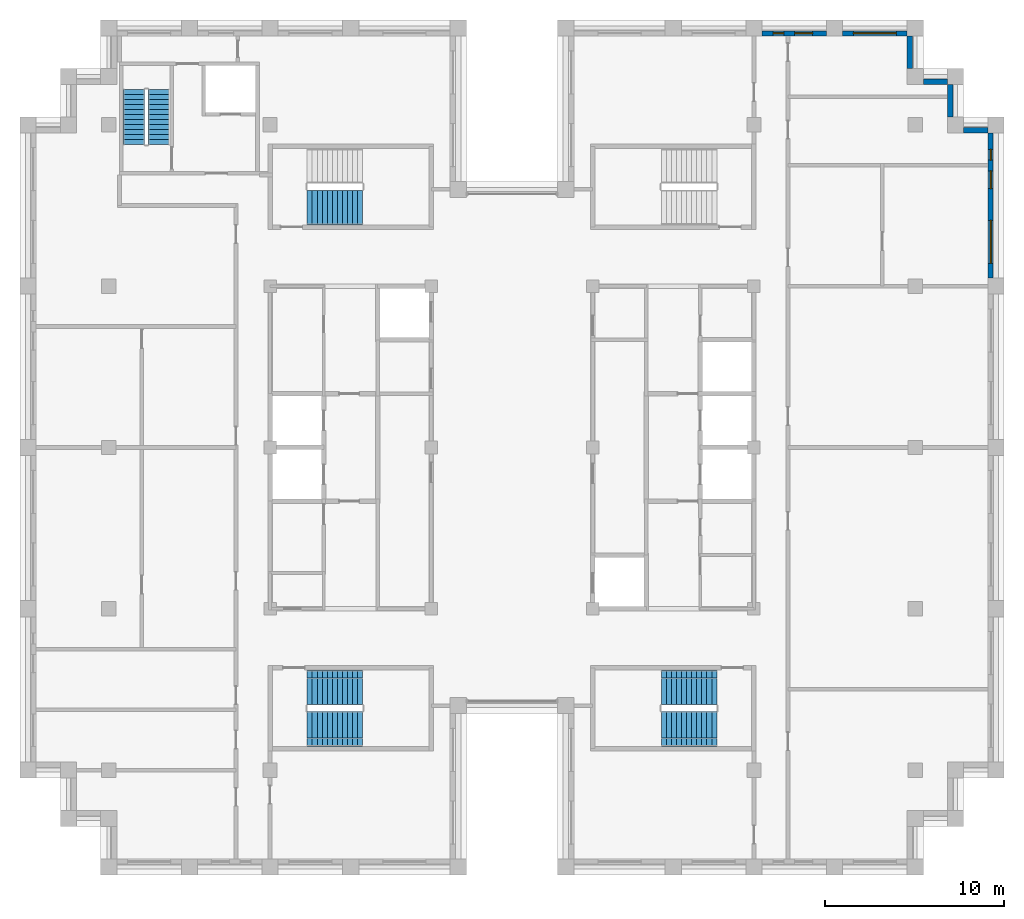
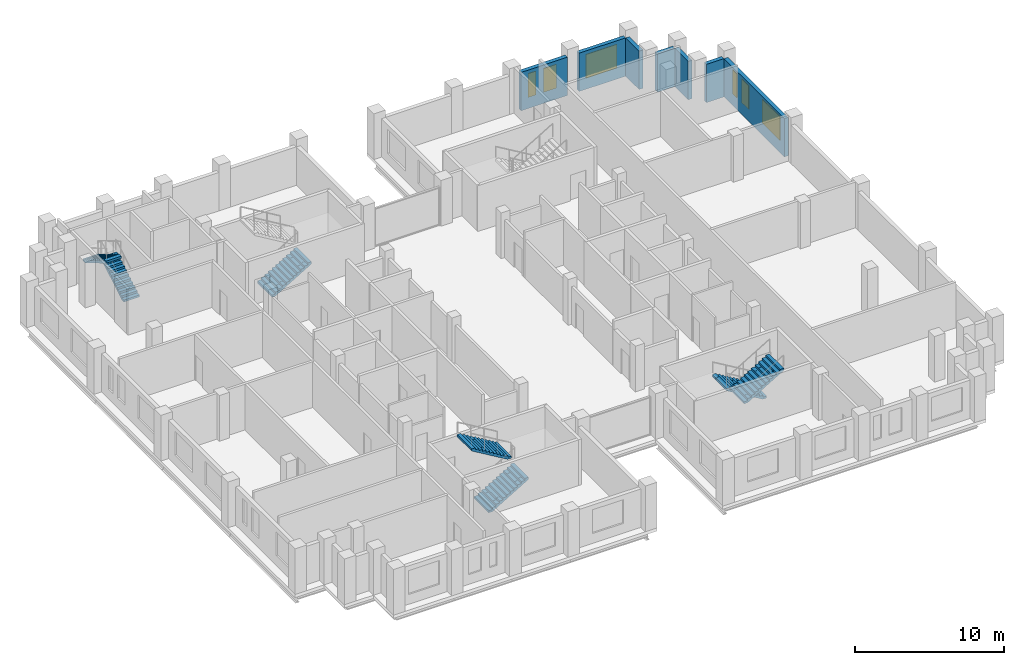
# One storey, part 11 of 13: 7 stair flights, 7 walls, 6 windows, 6 openings, 4 elements without a shape of their own.
"""IFC4 building model written with IfcOpenShell, lengths in metres."""

from ifc_helpers import new_model, si_unit, direction, frame, frame_2d, origin, place, context, subcontext, project, spatial, polyline, rectangle, outline, extrude, material, layer, layer_set, type_object, element, fill, aggregate, save


model = new_model("IFC4")

# Units and contexts
model_context = context("Model", 3, precision=1e-05, world=origin(), true_north=direction((0.0, 1.0)))
body_context = subcontext(model_context, "Body", "Model", "MODEL_VIEW")
ifc_project = project(units=[si_unit("LENGTHUNIT", "METRE"), si_unit("AREAUNIT", "SQUARE_METRE"), si_unit("VOLUMEUNIT", "CUBIC_METRE"), si_unit("PLANEANGLEUNIT", "RADIAN"), si_unit("MASSUNIT", "GRAM", prefix="KILO")], contexts=[model_context])

# Site, building, storey
site_placement = place(None, origin())
site = spatial("IfcSite", under=ifc_project, at=site_placement, CompositionType="ELEMENT")
building_placement = place(site_placement, origin())
building = spatial("IfcBuilding", under=site, at=building_placement, Name="Corbelhall Arena Tower", CompositionType="ELEMENT")
storey_placement = place(building_placement, frame((0.0, 0.0, 304.0)))
storey = spatial("IfcBuildingStorey", under=building, at=storey_placement, Name="L66", CompositionType="ELEMENT", Elevation=304.0)

# Wall, openings, windows
ifc_material_1 = material(Name="Precast concrete C40/50 with granite facing", Category="masonry")
ifc_layer = layer(ifc_material_1, 0.300048828125)
ifc_layer_set = layer_set([ifc_layer], Name="EV-IW1 Infill panel 300")
wall_type = type_object("IfcWallType", Name="EV-IW1 Infill panel 300", PredefinedType="SOLIDWALL", material=ifc_layer_set)
wall_1_placement = place(storey_placement, frame((26.699951171875, 9.449951171875, 0.0), z_axis=(0.0, 0.0, 1.0), x_axis=(0.0, 1.0, 0.0)))
wall_1 = element("IfcWall", 1, at=wall_1_placement, inside=storey, type_object=wall_type, Name="Infill panel IW1", PredefinedType="SOLIDWALL", context=body_context, shape_type="SweptSolid", body=[
    extrude(rectangle(XDim=8.10009765625, YDim=0.300048828125, at=frame_2d((4.050048828125, 0.0))), origin(), (0.0, 0.0, 1.0), 3.139892578125),
])
opening_1_placement = place(wall_1_placement, frame((0.824951171875, 0.0, 0.800048828125)))
opening_1 = element("IfcOpeningElement", 2, at=opening_1_placement, cuts=wall_1, Name="Opening WN1", PredefinedType="OPENING", context=body_context, shape_type="SweptSolid", body=[
    extrude(rectangle(XDim=2.39990234375, YDim=1.949951171875, at=frame_2d((1.199951171875, 0.97509765625))), frame((0.0, 0.14990234375, 0.0), z_axis=(0.0, -1.0, 0.0), x_axis=(1.0, 0.0, 0.0)), (0.0, 0.0, 1.0), 0.300048828125),
])
opening_2_placement = place(wall_1_placement, frame((4.987548828125, 0.0, 0.800048828125)))
opening_2 = element("IfcOpeningElement", 3, at=opening_2_placement, cuts=wall_1, Name="Opening WN6", PredefinedType="OPENING", context=body_context, shape_type="SweptSolid", body=[
    extrude(rectangle(XDim=1.0, YDim=1.949951171875, at=frame_2d((0.5, 0.97509765625))), frame((0.0, 0.14990234375, 0.0), z_axis=(0.0, -1.0, 0.0), x_axis=(1.0, 0.0, 0.0)), (0.0, 0.0, 1.0), 0.300048828125),
])
opening_3_placement = place(wall_1_placement, frame((6.58740234375, 0.0, 0.800048828125)))
opening_3 = element("IfcOpeningElement", 4, at=opening_3_placement, cuts=wall_1, Name="Opening WN5", PredefinedType="OPENING", context=body_context, shape_type="SweptSolid", body=[
    extrude(rectangle(XDim=0.60009765625, YDim=1.949951171875, at=frame_2d((0.300048828125, 0.97509765625))), frame((0.0, 0.14990234375, 0.0), z_axis=(0.0, -1.0, 0.0), x_axis=(1.0, 0.0, 0.0)), (0.0, 0.0, 1.0), 0.300048828125),
])
ifc_material_2 = material(Name="Aluminium black anodised", Category="aluminium")
window_type_1 = type_object("IfcWindowType", Name="EV-WN1 Office window", PartitioningType="SINGLE_PANEL", PredefinedType="WINDOW", material=ifc_material_2)
window_1_placement = place(opening_1_placement, origin())
window_1 = element("IfcWindow", 5, at=window_1_placement, inside=storey, type_object=window_type_1, Name="Window WN1", OverallHeight=1.949951171875, OverallWidth=2.39990234375, PartitioningType="SINGLE_PANEL", PredefinedType="WINDOW", context=body_context, shape_type="SweptSolid", body=[
    extrude(rectangle(XDim=2.39990234375, YDim=1.949951171875, at=frame_2d((1.199951171875, 0.97509765625))), frame((0.0, 0.030029296875, 0.0), z_axis=(0.0, -1.0, 0.0), x_axis=(1.0, 0.0, 0.0)), (0.0, 0.0, 1.0), 0.06005859375),
])
fill(opening_1, window_1)
window_type_2 = type_object("IfcWindowType", Name="EV-WN5 Office window 600", PartitioningType="SINGLE_PANEL", PredefinedType="WINDOW", material=ifc_material_2)
window_2_placement = place(opening_3_placement, origin())
window_2 = element("IfcWindow", 6, at=window_2_placement, inside=storey, type_object=window_type_2, Name="Window WN5", OverallHeight=1.949951171875, OverallWidth=0.60009765625, PartitioningType="SINGLE_PANEL", PredefinedType="WINDOW", context=body_context, shape_type="SweptSolid", body=[
    extrude(rectangle(XDim=0.60009765625, YDim=1.949951171875, at=frame_2d((0.300048828125, 0.97509765625))), frame((0.0, 0.030029296875, 0.0), z_axis=(0.0, -1.0, 0.0), x_axis=(1.0, 0.0, 0.0)), (0.0, 0.0, 1.0), 0.06005859375),
])
fill(opening_3, window_2)
window_type_3 = type_object("IfcWindowType", Name="EV-WN6 Office window 1000", PartitioningType="SINGLE_PANEL", PredefinedType="WINDOW", material=ifc_material_2)
window_3_placement = place(opening_2_placement, origin())
window_3 = element("IfcWindow", 7, at=window_3_placement, inside=storey, type_object=window_type_3, Name="Window WN6", OverallHeight=1.949951171875, OverallWidth=1.0, PartitioningType="SINGLE_PANEL", PredefinedType="WINDOW", context=body_context, shape_type="SweptSolid", body=[
    extrude(rectangle(XDim=1.0, YDim=1.949951171875, at=frame_2d((0.5, 0.97509765625))), frame((0.0, 0.030029296875, 0.0), z_axis=(0.0, -1.0, 0.0), x_axis=(1.0, 0.0, 0.0)), (0.0, 0.0, 1.0), 0.06005859375),
])
fill(opening_2, window_3)

# Walls
wall_2_placement = place(storey_placement, frame((26.550048828125, 17.699951171875, 0.0), z_axis=(0.0, 0.0, 1.0), x_axis=(-1.0, 0.0, 0.0)))
element("IfcWall", 8, at=wall_2_placement, inside=storey, type_object=wall_type, Name="Infill panel IW1", PredefinedType="SOLIDWALL", context=body_context, shape_type="SweptSolid", body=[
    extrude(rectangle(XDim=1.35009765625, YDim=0.300048828125, at=frame_2d((0.675048828125, 0.0))), origin(), (0.0, 0.0, 1.0), 3.139892578125),
])
wall_3_placement = place(storey_placement, frame((24.449951171875, 18.449951171875, 0.0), z_axis=(0.0, 0.0, 1.0), x_axis=(0.0, 1.0, 0.0)))
element("IfcWall", 9, at=wall_3_placement, inside=storey, type_object=wall_type, Name="Infill panel IW1", PredefinedType="SOLIDWALL", context=body_context, shape_type="SweptSolid", body=[
    extrude(rectangle(XDim=1.800048828125, YDim=0.300048828125, at=frame_2d((0.89990234375, 0.0))), origin(), (0.0, 0.0, 1.0), 3.139892578125),
])
wall_4_placement = place(storey_placement, frame((24.300048828125, 20.39990234375, 0.0), z_axis=(0.0, 0.0, 1.0), x_axis=(-1.0, 0.0, 0.0)))
element("IfcWall", 10, at=wall_4_placement, inside=storey, type_object=wall_type, Name="Infill panel IW1", PredefinedType="SOLIDWALL", context=body_context, shape_type="SweptSolid", body=[
    extrude(rectangle(XDim=1.35009765625, YDim=0.300048828125, at=frame_2d((0.675048828125, 0.0))), origin(), (0.0, 0.0, 1.0), 3.139892578125),
])
wall_5_placement = place(storey_placement, frame((22.199951171875, 21.14990234375, 0.0), z_axis=(0.0, 0.0, 1.0), x_axis=(0.0, 1.0, 0.0)))
element("IfcWall", 11, at=wall_5_placement, inside=storey, type_object=wall_type, Name="Infill panel IW1", PredefinedType="SOLIDWALL", context=body_context, shape_type="SweptSolid", body=[
    extrude(rectangle(XDim=1.800048828125, YDim=0.300048828125, at=frame_2d((0.89990234375, 0.0))), origin(), (0.0, 0.0, 1.0), 3.139892578125),
])

# Wall, opening, window
wall_6_placement = place(storey_placement, frame((22.050048828125, 23.10009765625, 0.0), z_axis=(0.0, 0.0, 1.0), x_axis=(-1.0, 0.0, 0.0)))
wall_6 = element("IfcWall", 12, at=wall_6_placement, inside=storey, type_object=wall_type, Name="Infill panel IW1", PredefinedType="SOLIDWALL", context=body_context, shape_type="SweptSolid", body=[
    extrude(rectangle(XDim=3.60009765625, YDim=0.300048828125, at=frame_2d((1.800048828125, 0.0))), origin(), (0.0, 0.0, 1.0), 3.139892578125),
])
opening_4_placement = place(wall_6_placement, frame((0.60009765625, 0.0, 0.800048828125)))
opening_4 = element("IfcOpeningElement", 13, at=opening_4_placement, cuts=wall_6, Name="Opening WN1", PredefinedType="OPENING", context=body_context, shape_type="SweptSolid", body=[
    extrude(rectangle(XDim=2.39990234375, YDim=1.949951171875, at=frame_2d((1.199951171875, 0.97509765625))), frame((0.0, 0.14990234375, 0.0), z_axis=(0.0, -1.0, 0.0), x_axis=(1.0, 0.0, 0.0)), (0.0, 0.0, 1.0), 0.300048828125),
])
window_4_placement = place(opening_4_placement, origin())
window_4 = element("IfcWindow", 14, at=window_4_placement, inside=storey, type_object=window_type_1, Name="Window WN1", OverallHeight=1.949951171875, OverallWidth=2.39990234375, PartitioningType="SINGLE_PANEL", PredefinedType="WINDOW", context=body_context, shape_type="SweptSolid", body=[
    extrude(rectangle(XDim=2.39990234375, YDim=1.949951171875, at=frame_2d((1.199951171875, 0.97509765625))), frame((0.0, 0.030029296875, 0.0), z_axis=(0.0, -1.0, 0.0), x_axis=(1.0, 0.0, 0.0)), (0.0, 0.0, 1.0), 0.06005859375),
])
fill(opening_4, window_4)

# Wall, openings, windows
wall_7_placement = place(storey_placement, frame((17.550048828125, 23.10009765625, 0.0), z_axis=(0.0, 0.0, 1.0), x_axis=(-1.0, 0.0, 0.0)))
wall_7 = element("IfcWall", 15, at=wall_7_placement, inside=storey, type_object=wall_type, Name="Infill panel IW1", PredefinedType="SOLIDWALL", context=body_context, shape_type="SweptSolid", body=[
    extrude(rectangle(XDim=3.60009765625, YDim=0.300048828125, at=frame_2d((1.800048828125, 0.0))), origin(), (0.0, 0.0, 1.0), 3.139892578125),
])
opening_5_placement = place(wall_7_placement, frame((0.77490234375, 0.0, 0.800048828125)))
opening_5 = element("IfcOpeningElement", 16, at=opening_5_placement, cuts=wall_7, Name="Opening WN6", PredefinedType="OPENING", context=body_context, shape_type="SweptSolid", body=[
    extrude(rectangle(XDim=1.0, YDim=1.949951171875, at=frame_2d((0.5, 0.97509765625))), frame((0.0, 0.14990234375, 0.0), z_axis=(0.0, -1.0, 0.0), x_axis=(1.0, 0.0, 0.0)), (0.0, 0.0, 1.0), 0.300048828125),
])
opening_6_placement = place(wall_7_placement, frame((2.375, 0.0, 0.800048828125)))
opening_6 = element("IfcOpeningElement", 17, at=opening_6_placement, cuts=wall_7, Name="Opening WN5", PredefinedType="OPENING", context=body_context, shape_type="SweptSolid", body=[
    extrude(rectangle(XDim=0.60009765625, YDim=1.949951171875, at=frame_2d((0.300048828125, 0.97509765625))), frame((0.0, 0.14990234375, 0.0), z_axis=(0.0, -1.0, 0.0), x_axis=(1.0, 0.0, 0.0)), (0.0, 0.0, 1.0), 0.300048828125),
])
window_5_placement = place(opening_6_placement, origin())
window_5 = element("IfcWindow", 18, at=window_5_placement, inside=storey, type_object=window_type_2, Name="Window WN5", OverallHeight=1.949951171875, OverallWidth=0.60009765625, PartitioningType="SINGLE_PANEL", PredefinedType="WINDOW", context=body_context, shape_type="SweptSolid", body=[
    extrude(rectangle(XDim=0.60009765625, YDim=1.949951171875, at=frame_2d((0.300048828125, 0.97509765625))), frame((0.0, 0.030029296875, 0.0), z_axis=(0.0, -1.0, 0.0), x_axis=(1.0, 0.0, 0.0)), (0.0, 0.0, 1.0), 0.06005859375),
])
fill(opening_6, window_5)
window_6_placement = place(opening_5_placement, origin())
window_6 = element("IfcWindow", 19, at=window_6_placement, inside=storey, type_object=window_type_3, Name="Window WN6", OverallHeight=1.949951171875, OverallWidth=1.0, PartitioningType="SINGLE_PANEL", PredefinedType="WINDOW", context=body_context, shape_type="SweptSolid", body=[
    extrude(rectangle(XDim=1.0, YDim=1.949951171875, at=frame_2d((0.5, 0.97509765625))), frame((0.0, 0.030029296875, 0.0), z_axis=(0.0, -1.0, 0.0), x_axis=(1.0, 0.0, 0.0)), (0.0, 0.0, 1.0), 0.06005859375),
])
fill(opening_5, window_6)

# Stair, stair flight
ifc_material_3 = material(Name="Concrete C40/50", Category="concrete")
stair_type = type_object("IfcStairType", Name="IN-ST-TOWER", PredefinedType="HALF_TURN_STAIR", material=ifc_material_3)
stair_1_placement = place(storey_placement, origin())
stair_1 = element("IfcStair", 20, at=stair_1_placement, inside=storey, type_object=stair_type, Name="L66 Exit stair ST1", PredefinedType="HALF_TURN_STAIR")
stair_flight_type = type_object("IfcStairFlightType", Name="IN-SFL-RC", PredefinedType="STRAIGHT", material=ifc_material_3)
stair_flight_1_placement = place(storey_placement, frame((-11.425048828125, 13.39990234375, 0.0), z_axis=(0.0, 0.0, 1.0), x_axis=(1.0, 0.0, 0.0)))
stair_flight_1 = element("IfcStairFlight", 21, at=stair_flight_1_placement, type_object=stair_flight_type, Name="ST1 flight 1", NumberOfRisers=12, NumberOfTreads=11, PredefinedType="STRAIGHT", RiserHeight=0.166666667, TreadLength=0.28, context=body_context, shape_type="SweptSolid", body=[
    extrude(outline(polyline([(0.0, 0.0), (0.0, 0.166748046875), (0.280029296875, 0.166748046875), (0.280029296875, 0.333251953125), (0.56005859375, 0.333251953125), (0.56005859375, 0.5), (0.840087890625, 0.5), (0.840087890625, 0.666748046875), (1.1201171875, 0.666748046875), (1.1201171875, 0.833251953125), (1.39990234375, 0.833251953125), (1.39990234375, 1.0), (1.679931640625, 1.0), (1.679931640625, 1.166748046875), (1.9599609375, 1.166748046875), (1.9599609375, 1.333251953125), (2.239990234375, 1.333251953125), (2.239990234375, 1.5), (2.52001953125, 1.5), (2.52001953125, 1.666748046875), (2.800048828125, 1.666748046875), (2.800048828125, 1.833251953125), (3.080078125, 1.833251953125), (3.080078125, 2.0), (3.080078125, 1.658935546875), (0.29296875, 0.0), (0.0, 0.0)])), frame((0.0, 0.97509765625, 0.0), z_axis=(0.0, -1.0, 0.0), x_axis=(1.0, 0.0, 0.0)), (0.0, 0.0, 1.0), 0.449951171875),
    extrude(outline(polyline([(0.0, 0.0), (0.0, 0.166748046875), (0.280029296875, 0.166748046875), (0.280029296875, 0.333251953125), (0.56005859375, 0.333251953125), (0.56005859375, 0.5), (0.840087890625, 0.5), (0.840087890625, 0.666748046875), (1.1201171875, 0.666748046875), (1.1201171875, 0.833251953125), (1.39990234375, 0.833251953125), (1.39990234375, 1.0), (1.679931640625, 1.0), (1.679931640625, 1.166748046875), (1.9599609375, 1.166748046875), (1.9599609375, 1.333251953125), (2.239990234375, 1.333251953125), (2.239990234375, 1.5), (2.52001953125, 1.5), (2.52001953125, 1.666748046875), (2.800048828125, 1.666748046875), (2.800048828125, 1.833251953125), (3.080078125, 1.833251953125), (3.080078125, 2.0), (3.080078125, 1.658935546875), (0.29296875, 0.0), (0.0, 0.0)])), frame((0.0, 0.52099609375, 0.0), z_axis=(0.0, -1.0, 0.0), x_axis=(1.0, 0.0, 0.0)), (0.0, 0.0, 1.0), 1.0419921875),
    extrude(outline(polyline([(0.0, 0.0), (0.0, 0.166748046875), (0.280029296875, 0.166748046875), (0.280029296875, 0.333251953125), (0.56005859375, 0.333251953125), (0.56005859375, 0.5), (0.840087890625, 0.5), (0.840087890625, 0.666748046875), (1.1201171875, 0.666748046875), (1.1201171875, 0.833251953125), (1.39990234375, 0.833251953125), (1.39990234375, 1.0), (1.679931640625, 1.0), (1.679931640625, 1.166748046875), (1.9599609375, 1.166748046875), (1.9599609375, 1.333251953125), (2.239990234375, 1.333251953125), (2.239990234375, 1.5), (2.52001953125, 1.5), (2.52001953125, 1.666748046875), (2.800048828125, 1.666748046875), (2.800048828125, 1.833251953125), (3.080078125, 1.833251953125), (3.080078125, 2.0), (3.080078125, 1.658935546875), (0.29296875, 0.0), (0.0, 0.0)])), frame((0.0, -0.52490234375, 0.0), z_axis=(0.0, -1.0, 0.0), x_axis=(1.0, 0.0, 0.0)), (0.0, 0.0, 1.0), 0.449951171875),
])
aggregate(stair_1, [stair_flight_1])

# Stair, stair flights
stair_2_placement = place(storey_placement, origin())
stair_2 = element("IfcStair", 22, at=stair_2_placement, inside=storey, type_object=stair_type, Name="L66 Exit stair ST2", PredefinedType="HALF_TURN_STAIR")
stair_flight_2_placement = place(storey_placement, frame((-11.425048828125, -15.699951171875, 0.0), z_axis=(0.0, 0.0, 1.0), x_axis=(1.0, 0.0, 0.0)))
stair_flight_2 = element("IfcStairFlight", 23, at=stair_flight_2_placement, type_object=stair_flight_type, Name="ST2 flight 1", NumberOfRisers=12, NumberOfTreads=11, PredefinedType="STRAIGHT", RiserHeight=0.166666667, TreadLength=0.28, context=body_context, shape_type="SweptSolid", body=[
    extrude(outline(polyline([(0.0, 0.0), (0.0, 0.166748046875), (0.280029296875, 0.166748046875), (0.280029296875, 0.333251953125), (0.56005859375, 0.333251953125), (0.56005859375, 0.5), (0.840087890625, 0.5), (0.840087890625, 0.666748046875), (1.1201171875, 0.666748046875), (1.1201171875, 0.833251953125), (1.39990234375, 0.833251953125), (1.39990234375, 1.0), (1.679931640625, 1.0), (1.679931640625, 1.166748046875), (1.9599609375, 1.166748046875), (1.9599609375, 1.333251953125), (2.239990234375, 1.333251953125), (2.239990234375, 1.5), (2.52001953125, 1.5), (2.52001953125, 1.666748046875), (2.800048828125, 1.666748046875), (2.800048828125, 1.833251953125), (3.080078125, 1.833251953125), (3.080078125, 2.0), (3.080078125, 1.658935546875), (0.29296875, 0.0), (0.0, 0.0)])), frame((0.0, 0.97509765625, 0.0), z_axis=(0.0, -1.0, 0.0), x_axis=(1.0, 0.0, 0.0)), (0.0, 0.0, 1.0), 0.449951171875),
    extrude(outline(polyline([(0.0, 0.0), (0.0, 0.166748046875), (0.280029296875, 0.166748046875), (0.280029296875, 0.333251953125), (0.56005859375, 0.333251953125), (0.56005859375, 0.5), (0.840087890625, 0.5), (0.840087890625, 0.666748046875), (1.1201171875, 0.666748046875), (1.1201171875, 0.833251953125), (1.39990234375, 0.833251953125), (1.39990234375, 1.0), (1.679931640625, 1.0), (1.679931640625, 1.166748046875), (1.9599609375, 1.166748046875), (1.9599609375, 1.333251953125), (2.239990234375, 1.333251953125), (2.239990234375, 1.5), (2.52001953125, 1.5), (2.52001953125, 1.666748046875), (2.800048828125, 1.666748046875), (2.800048828125, 1.833251953125), (3.080078125, 1.833251953125), (3.080078125, 2.0), (3.080078125, 1.658935546875), (0.29296875, 0.0), (0.0, 0.0)])), frame((0.0, 0.52099609375, 0.0), z_axis=(0.0, -1.0, 0.0), x_axis=(1.0, 0.0, 0.0)), (0.0, 0.0, 1.0), 1.0419921875),
    extrude(outline(polyline([(0.0, 0.0), (0.0, 0.166748046875), (0.280029296875, 0.166748046875), (0.280029296875, 0.333251953125), (0.56005859375, 0.333251953125), (0.56005859375, 0.5), (0.840087890625, 0.5), (0.840087890625, 0.666748046875), (1.1201171875, 0.666748046875), (1.1201171875, 0.833251953125), (1.39990234375, 0.833251953125), (1.39990234375, 1.0), (1.679931640625, 1.0), (1.679931640625, 1.166748046875), (1.9599609375, 1.166748046875), (1.9599609375, 1.333251953125), (2.239990234375, 1.333251953125), (2.239990234375, 1.5), (2.52001953125, 1.5), (2.52001953125, 1.666748046875), (2.800048828125, 1.666748046875), (2.800048828125, 1.833251953125), (3.080078125, 1.833251953125), (3.080078125, 2.0), (3.080078125, 1.658935546875), (0.29296875, 0.0), (0.0, 0.0)])), frame((0.0, -0.52490234375, 0.0), z_axis=(0.0, -1.0, 0.0), x_axis=(1.0, 0.0, 0.0)), (0.0, 0.0, 1.0), 0.449951171875),
])
stair_flight_3_placement = place(storey_placement, frame((-8.344970703125, -13.39990234375, 2.0), z_axis=(0.0, 0.0, 1.0), x_axis=(-1.0, 0.0, 0.0)))
stair_flight_3 = element("IfcStairFlight", 24, at=stair_flight_3_placement, type_object=stair_flight_type, Name="ST2 flight 2", NumberOfRisers=12, NumberOfTreads=11, PredefinedType="STRAIGHT", RiserHeight=0.166666667, TreadLength=0.28, context=body_context, shape_type="SweptSolid", body=[
    extrude(outline(polyline([(0.0, 0.0), (0.0, 0.166748046875), (0.280029296875, 0.166748046875), (0.280029296875, 0.333251953125), (0.56005859375, 0.333251953125), (0.56005859375, 0.5), (0.840087890625, 0.5), (0.840087890625, 0.666748046875), (1.1201171875, 0.666748046875), (1.1201171875, 0.833251953125), (1.39990234375, 0.833251953125), (1.39990234375, 1.0), (1.679931640625, 1.0), (1.679931640625, 1.166748046875), (1.9599609375, 1.166748046875), (1.9599609375, 1.333251953125), (2.239990234375, 1.333251953125), (2.239990234375, 1.5), (2.52001953125, 1.5), (2.52001953125, 1.666748046875), (2.800048828125, 1.666748046875), (2.800048828125, 1.833251953125), (3.080078125, 1.833251953125), (3.080078125, 2.0), (3.080078125, 1.658935546875), (0.29296875, 0.0), (0.0, 0.0)])), frame((0.0, 0.97509765625, 0.0), z_axis=(0.0, -1.0, 0.0), x_axis=(1.0, 0.0, 0.0)), (0.0, 0.0, 1.0), 0.449951171875),
    extrude(outline(polyline([(0.0, 0.0), (0.0, 0.166748046875), (0.280029296875, 0.166748046875), (0.280029296875, 0.333251953125), (0.56005859375, 0.333251953125), (0.56005859375, 0.5), (0.840087890625, 0.5), (0.840087890625, 0.666748046875), (1.1201171875, 0.666748046875), (1.1201171875, 0.833251953125), (1.39990234375, 0.833251953125), (1.39990234375, 1.0), (1.679931640625, 1.0), (1.679931640625, 1.166748046875), (1.9599609375, 1.166748046875), (1.9599609375, 1.333251953125), (2.239990234375, 1.333251953125), (2.239990234375, 1.5), (2.52001953125, 1.5), (2.52001953125, 1.666748046875), (2.800048828125, 1.666748046875), (2.800048828125, 1.833251953125), (3.080078125, 1.833251953125), (3.080078125, 2.0), (3.080078125, 1.658935546875), (0.29296875, 0.0), (0.0, 0.0)])), frame((0.0, 0.52099609375, 0.0), z_axis=(0.0, -1.0, 0.0), x_axis=(1.0, 0.0, 0.0)), (0.0, 0.0, 1.0), 1.0419921875),
    extrude(outline(polyline([(0.0, 0.0), (0.0, 0.166748046875), (0.280029296875, 0.166748046875), (0.280029296875, 0.333251953125), (0.56005859375, 0.333251953125), (0.56005859375, 0.5), (0.840087890625, 0.5), (0.840087890625, 0.666748046875), (1.1201171875, 0.666748046875), (1.1201171875, 0.833251953125), (1.39990234375, 0.833251953125), (1.39990234375, 1.0), (1.679931640625, 1.0), (1.679931640625, 1.166748046875), (1.9599609375, 1.166748046875), (1.9599609375, 1.333251953125), (2.239990234375, 1.333251953125), (2.239990234375, 1.5), (2.52001953125, 1.5), (2.52001953125, 1.666748046875), (2.800048828125, 1.666748046875), (2.800048828125, 1.833251953125), (3.080078125, 1.833251953125), (3.080078125, 2.0), (3.080078125, 1.658935546875), (0.29296875, 0.0), (0.0, 0.0)])), frame((0.0, -0.52490234375, 0.0), z_axis=(0.0, -1.0, 0.0), x_axis=(1.0, 0.0, 0.0)), (0.0, 0.0, 1.0), 0.449951171875),
])
aggregate(stair_2, [stair_flight_2, stair_flight_3])

stair_3_placement = place(storey_placement, origin())
stair_3 = element("IfcStair", 25, at=stair_3_placement, inside=storey, type_object=stair_type, Name="L66 Exit stair ST4", PredefinedType="HALF_TURN_STAIR")
stair_flight_4_placement = place(storey_placement, frame((11.425048828125, -13.39990234375, 0.0), z_axis=(0.0, 0.0, 1.0), x_axis=(-1.0, 0.0, 0.0)))
stair_flight_4 = element("IfcStairFlight", 26, at=stair_flight_4_placement, type_object=stair_flight_type, Name="ST4 flight 1", NumberOfRisers=12, NumberOfTreads=11, PredefinedType="STRAIGHT", RiserHeight=0.166666667, TreadLength=0.28, context=body_context, shape_type="SweptSolid", body=[
    extrude(outline(polyline([(0.0, 0.0), (0.0, 0.166748046875), (0.280029296875, 0.166748046875), (0.280029296875, 0.333251953125), (0.56005859375, 0.333251953125), (0.56005859375, 0.5), (0.840087890625, 0.5), (0.840087890625, 0.666748046875), (1.1201171875, 0.666748046875), (1.1201171875, 0.833251953125), (1.39990234375, 0.833251953125), (1.39990234375, 1.0), (1.679931640625, 1.0), (1.679931640625, 1.166748046875), (1.9599609375, 1.166748046875), (1.9599609375, 1.333251953125), (2.239990234375, 1.333251953125), (2.239990234375, 1.5), (2.52001953125, 1.5), (2.52001953125, 1.666748046875), (2.800048828125, 1.666748046875), (2.800048828125, 1.833251953125), (3.080078125, 1.833251953125), (3.080078125, 2.0), (3.080078125, 1.658935546875), (0.29296875, 0.0), (0.0, 0.0)])), frame((0.0, 0.97509765625, 0.0), z_axis=(0.0, -1.0, 0.0), x_axis=(1.0, 0.0, 0.0)), (0.0, 0.0, 1.0), 0.449951171875),
    extrude(outline(polyline([(0.0, 0.0), (0.0, 0.166748046875), (0.280029296875, 0.166748046875), (0.280029296875, 0.333251953125), (0.56005859375, 0.333251953125), (0.56005859375, 0.5), (0.840087890625, 0.5), (0.840087890625, 0.666748046875), (1.1201171875, 0.666748046875), (1.1201171875, 0.833251953125), (1.39990234375, 0.833251953125), (1.39990234375, 1.0), (1.679931640625, 1.0), (1.679931640625, 1.166748046875), (1.9599609375, 1.166748046875), (1.9599609375, 1.333251953125), (2.239990234375, 1.333251953125), (2.239990234375, 1.5), (2.52001953125, 1.5), (2.52001953125, 1.666748046875), (2.800048828125, 1.666748046875), (2.800048828125, 1.833251953125), (3.080078125, 1.833251953125), (3.080078125, 2.0), (3.080078125, 1.658935546875), (0.29296875, 0.0), (0.0, 0.0)])), frame((0.0, 0.52099609375, 0.0), z_axis=(0.0, -1.0, 0.0), x_axis=(1.0, 0.0, 0.0)), (0.0, 0.0, 1.0), 1.0419921875),
    extrude(outline(polyline([(0.0, 0.0), (0.0, 0.166748046875), (0.280029296875, 0.166748046875), (0.280029296875, 0.333251953125), (0.56005859375, 0.333251953125), (0.56005859375, 0.5), (0.840087890625, 0.5), (0.840087890625, 0.666748046875), (1.1201171875, 0.666748046875), (1.1201171875, 0.833251953125), (1.39990234375, 0.833251953125), (1.39990234375, 1.0), (1.679931640625, 1.0), (1.679931640625, 1.166748046875), (1.9599609375, 1.166748046875), (1.9599609375, 1.333251953125), (2.239990234375, 1.333251953125), (2.239990234375, 1.5), (2.52001953125, 1.5), (2.52001953125, 1.666748046875), (2.800048828125, 1.666748046875), (2.800048828125, 1.833251953125), (3.080078125, 1.833251953125), (3.080078125, 2.0), (3.080078125, 1.658935546875), (0.29296875, 0.0), (0.0, 0.0)])), frame((0.0, -0.52490234375, 0.0), z_axis=(0.0, -1.0, 0.0), x_axis=(1.0, 0.0, 0.0)), (0.0, 0.0, 1.0), 0.449951171875),
])
stair_flight_5_placement = place(storey_placement, frame((8.344970703125, -15.699951171875, 2.0), z_axis=(0.0, 0.0, 1.0), x_axis=(1.0, 0.0, 0.0)))
stair_flight_5 = element("IfcStairFlight", 27, at=stair_flight_5_placement, type_object=stair_flight_type, Name="ST4 flight 2", NumberOfRisers=12, NumberOfTreads=11, PredefinedType="STRAIGHT", RiserHeight=0.166666667, TreadLength=0.28, context=body_context, shape_type="SweptSolid", body=[
    extrude(outline(polyline([(0.0, 0.0), (0.0, 0.166748046875), (0.280029296875, 0.166748046875), (0.280029296875, 0.333251953125), (0.56005859375, 0.333251953125), (0.56005859375, 0.5), (0.840087890625, 0.5), (0.840087890625, 0.666748046875), (1.1201171875, 0.666748046875), (1.1201171875, 0.833251953125), (1.39990234375, 0.833251953125), (1.39990234375, 1.0), (1.679931640625, 1.0), (1.679931640625, 1.166748046875), (1.9599609375, 1.166748046875), (1.9599609375, 1.333251953125), (2.239990234375, 1.333251953125), (2.239990234375, 1.5), (2.52001953125, 1.5), (2.52001953125, 1.666748046875), (2.800048828125, 1.666748046875), (2.800048828125, 1.833251953125), (3.080078125, 1.833251953125), (3.080078125, 2.0), (3.080078125, 1.658935546875), (0.29296875, 0.0), (0.0, 0.0)])), frame((0.0, 0.97509765625, 0.0), z_axis=(0.0, -1.0, 0.0), x_axis=(1.0, 0.0, 0.0)), (0.0, 0.0, 1.0), 0.449951171875),
    extrude(outline(polyline([(0.0, 0.0), (0.0, 0.166748046875), (0.280029296875, 0.166748046875), (0.280029296875, 0.333251953125), (0.56005859375, 0.333251953125), (0.56005859375, 0.5), (0.840087890625, 0.5), (0.840087890625, 0.666748046875), (1.1201171875, 0.666748046875), (1.1201171875, 0.833251953125), (1.39990234375, 0.833251953125), (1.39990234375, 1.0), (1.679931640625, 1.0), (1.679931640625, 1.166748046875), (1.9599609375, 1.166748046875), (1.9599609375, 1.333251953125), (2.239990234375, 1.333251953125), (2.239990234375, 1.5), (2.52001953125, 1.5), (2.52001953125, 1.666748046875), (2.800048828125, 1.666748046875), (2.800048828125, 1.833251953125), (3.080078125, 1.833251953125), (3.080078125, 2.0), (3.080078125, 1.658935546875), (0.29296875, 0.0), (0.0, 0.0)])), frame((0.0, 0.52099609375, 0.0), z_axis=(0.0, -1.0, 0.0), x_axis=(1.0, 0.0, 0.0)), (0.0, 0.0, 1.0), 1.0419921875),
    extrude(outline(polyline([(0.0, 0.0), (0.0, 0.166748046875), (0.280029296875, 0.166748046875), (0.280029296875, 0.333251953125), (0.56005859375, 0.333251953125), (0.56005859375, 0.5), (0.840087890625, 0.5), (0.840087890625, 0.666748046875), (1.1201171875, 0.666748046875), (1.1201171875, 0.833251953125), (1.39990234375, 0.833251953125), (1.39990234375, 1.0), (1.679931640625, 1.0), (1.679931640625, 1.166748046875), (1.9599609375, 1.166748046875), (1.9599609375, 1.333251953125), (2.239990234375, 1.333251953125), (2.239990234375, 1.5), (2.52001953125, 1.5), (2.52001953125, 1.666748046875), (2.800048828125, 1.666748046875), (2.800048828125, 1.833251953125), (3.080078125, 1.833251953125), (3.080078125, 2.0), (3.080078125, 1.658935546875), (0.29296875, 0.0), (0.0, 0.0)])), frame((0.0, -0.52490234375, 0.0), z_axis=(0.0, -1.0, 0.0), x_axis=(1.0, 0.0, 0.0)), (0.0, 0.0, 1.0), 0.449951171875),
])
aggregate(stair_3, [stair_flight_4, stair_flight_5])

stair_4_placement = place(storey_placement, origin())
stair_4 = element("IfcStair", 28, at=stair_4_placement, inside=storey, type_object=stair_type, Name="L66 Exit stair ST5", PredefinedType="HALF_TURN_STAIR")
stair_flight_6_placement = place(storey_placement, frame((-19.695068359375, 16.89990234375, 0.0), z_axis=(0.0, 0.0, 1.0), x_axis=(0.0, 1.0, 0.0)))
stair_flight_6 = element("IfcStairFlight", 29, at=stair_flight_6_placement, type_object=stair_flight_type, Name="ST5 flight 1", NumberOfRisers=12, NumberOfTreads=11, PredefinedType="STRAIGHT", RiserHeight=0.166666667, TreadLength=0.28, context=body_context, shape_type="SweptSolid", body=[
    extrude(outline(polyline([(0.0, 0.0), (0.0, 0.166748046875), (0.280029296875, 0.166748046875), (0.280029296875, 0.333251953125), (0.56005859375, 0.333251953125), (0.56005859375, 0.5), (0.840087890625, 0.5), (0.840087890625, 0.666748046875), (1.1201171875, 0.666748046875), (1.1201171875, 0.833251953125), (1.39990234375, 0.833251953125), (1.39990234375, 1.0), (1.679931640625, 1.0), (1.679931640625, 1.166748046875), (1.9599609375, 1.166748046875), (1.9599609375, 1.333251953125), (2.239990234375, 1.333251953125), (2.239990234375, 1.5), (2.52001953125, 1.5), (2.52001953125, 1.666748046875), (2.800048828125, 1.666748046875), (2.800048828125, 1.833251953125), (3.080078125, 1.833251953125), (3.080078125, 2.0), (3.080078125, 1.658935546875), (0.29296875, 0.0), (0.0, 0.0)])), frame((0.0, 0.60009765625, 0.0), z_axis=(0.0, -1.0, 0.0), x_axis=(1.0, 0.0, 0.0)), (0.0, 0.0, 1.0), 1.199951171875),
])
stair_flight_7_placement = place(storey_placement, frame((-21.094970703125, 19.97998046875, 2.0), z_axis=(0.0, 0.0, 1.0), x_axis=(0.0, -1.0, 0.0)))
stair_flight_7 = element("IfcStairFlight", 30, at=stair_flight_7_placement, type_object=stair_flight_type, Name="ST5 flight 2", NumberOfRisers=12, NumberOfTreads=11, PredefinedType="STRAIGHT", RiserHeight=0.166666667, TreadLength=0.28, context=body_context, shape_type="SweptSolid", body=[
    extrude(outline(polyline([(0.0, 0.0), (0.0, 0.166748046875), (0.280029296875, 0.166748046875), (0.280029296875, 0.333251953125), (0.56005859375, 0.333251953125), (0.56005859375, 0.5), (0.840087890625, 0.5), (0.840087890625, 0.666748046875), (1.1201171875, 0.666748046875), (1.1201171875, 0.833251953125), (1.39990234375, 0.833251953125), (1.39990234375, 1.0), (1.679931640625, 1.0), (1.679931640625, 1.166748046875), (1.9599609375, 1.166748046875), (1.9599609375, 1.333251953125), (2.239990234375, 1.333251953125), (2.239990234375, 1.5), (2.52001953125, 1.5), (2.52001953125, 1.666748046875), (2.800048828125, 1.666748046875), (2.800048828125, 1.833251953125), (3.080078125, 1.833251953125), (3.080078125, 2.0), (3.080078125, 1.658935546875), (0.29296875, 0.0), (0.0, 0.0)])), frame((0.0, 0.60009765625, 0.0), z_axis=(0.0, -1.0, 0.0), x_axis=(1.0, 0.0, 0.0)), (0.0, 0.0, 1.0), 1.199951171875),
])
aggregate(stair_4, [stair_flight_6, stair_flight_7])

save(model, "model.ifc")
